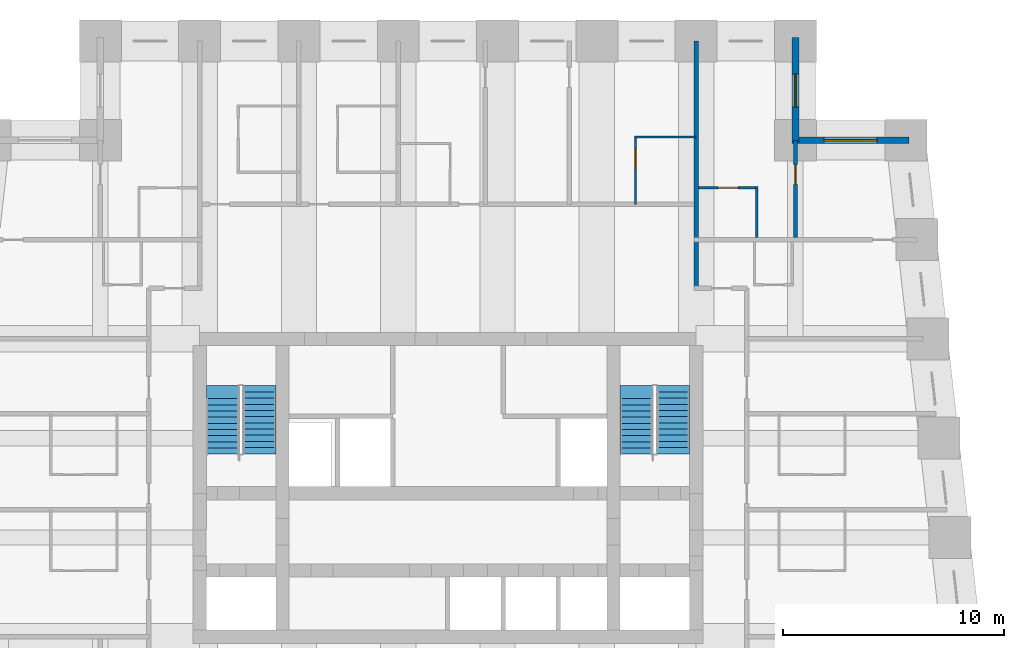
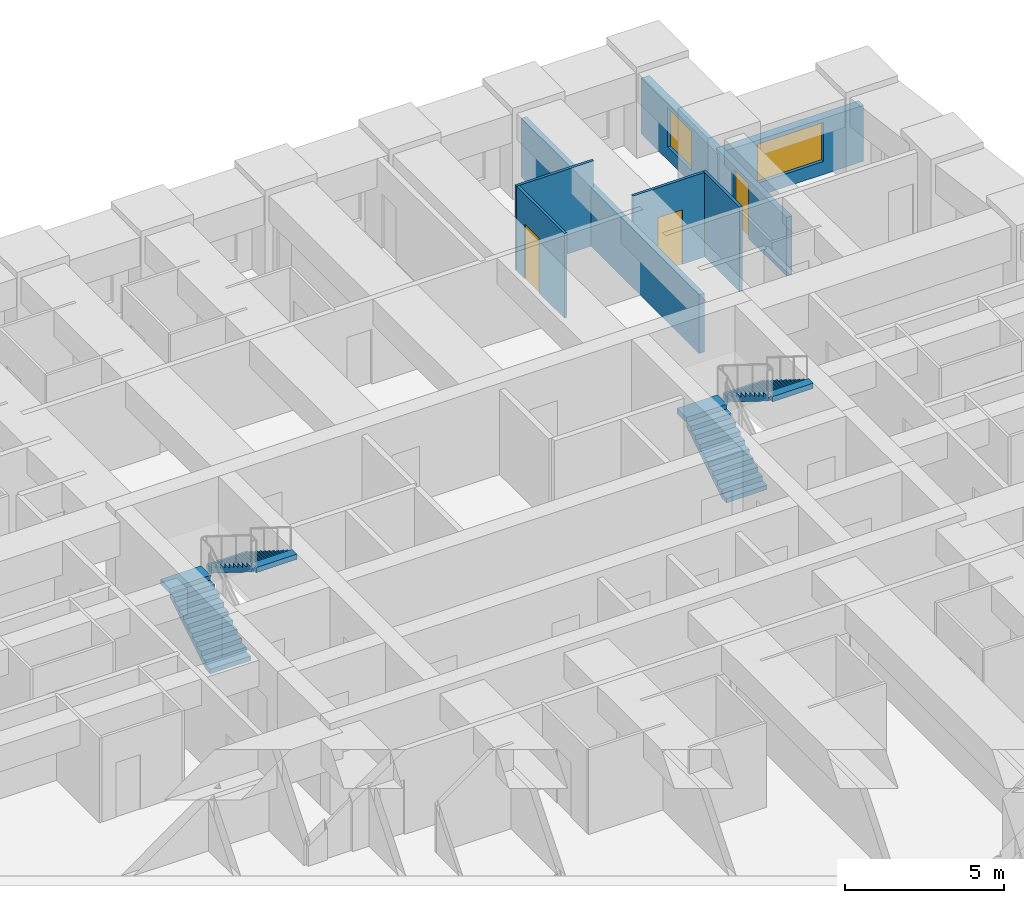
# One storey, part 7 of 8: 8 walls, 4 stair flights, 3 doors, 2 windows, 5 openings, 2 elements without a shape of their own.
"""IFC4 building model written with IfcOpenShell, lengths in metres."""

from ifc_helpers import new_model, si_unit, direction, frame, frame_2d, origin, place, context, subcontext, project, spatial, polyline, rectangle, outline, extrude, material, layer, layer_set, type_object, element, fill, aggregate, save


model = new_model("IFC4")

# Units and contexts
model_context = context("Model", 3, precision=1e-05, world=origin(), true_north=direction((0.0, 1.0)))
body_context = subcontext(model_context, "Body", "Model", "MODEL_VIEW")
ifc_project = project(units=[si_unit("LENGTHUNIT", "METRE"), si_unit("AREAUNIT", "SQUARE_METRE"), si_unit("VOLUMEUNIT", "CUBIC_METRE"), si_unit("PLANEANGLEUNIT", "RADIAN"), si_unit("MASSUNIT", "GRAM", prefix="KILO")], contexts=[model_context])

# Site, building, storey
site_placement = place(None, origin())
site = spatial("IfcSite", under=ifc_project, at=site_placement, CompositionType="ELEMENT")
building_placement = place(site_placement, origin())
building = spatial("IfcBuilding", under=site, at=building_placement, Name="Kilele Tower Hotel", CompositionType="ELEMENT")
storey_placement = place(building_placement, frame((0.0, 0.0, 107.39990234375)))
storey = spatial("IfcBuildingStorey", under=building, at=storey_placement, Name="L27", CompositionType="ELEMENT", Elevation=107.39990234375)

# Wall
ifc_material_1 = material(Name="Moisture-resistant board")
ifc_layer_1 = layer(ifc_material_1, 0.10009765625)
ifc_layer_set_1 = layer_set([ifc_layer_1], Name="Moisture-resistant board")
wall_type_1 = type_object("IfcWallType", Name="Bathroom partition 100", PredefinedType="PLUMBINGWALL", material=ifc_layer_set_1)
wall_1_placement = place(storey_placement, frame((33.199951171875, 36.14990234375, 0.0), z_axis=(0.0, 0.0, 1.0), x_axis=(1.0, 0.0, 0.0)))
element("IfcWall", 1, at=wall_1_placement, inside=storey, type_object=wall_type_1, Name="Bathroom partition 100 L27", PredefinedType="PLUMBINGWALL", context=body_context, shape_type="SweptSolid", body=[
    extrude(rectangle(XDim=2.800048828125, YDim=0.10009765625, at=frame_2d((1.39990234375, 0.0))), origin(), (0.0, 0.0, 1.0), 3.25),
])

# Wall, opening, door
wall_2_placement = place(storey_placement, frame((33.25, 33.10009765625, 0.0), z_axis=(0.0, 0.0, 1.0), x_axis=(0.0, 1.0, 0.0)))
wall_2 = element("IfcWall", 2, at=wall_2_placement, inside=storey, type_object=wall_type_1, Name="Bathroom partition 100 L27", PredefinedType="PLUMBINGWALL", context=body_context, shape_type="SweptSolid", body=[
    extrude(rectangle(XDim=3.099853515625, YDim=0.10009765625, at=frame_2d((1.5498046875, 0.0))), origin(), (0.0, 0.0, 1.0), 3.25),
])
opening_1_placement = place(wall_2_placement, frame((1.60009765625, 0.0, 0.0)))
opening_1 = element("IfcOpeningElement", 3, at=opening_1_placement, cuts=wall_2, Name="Opening D2A", PredefinedType="OPENING", context=body_context, shape_type="SweptSolid", body=[
    extrude(rectangle(XDim=0.89990234375, YDim=2.10009765625, at=frame_2d((0.449951171875, 1.050048828125))), frame((0.0, 0.06005859375, 0.0), z_axis=(0.0, -1.0, 0.0), x_axis=(1.0, 0.0, 0.0)), (0.0, 0.0, 1.0), 0.1201171875),
])
ifc_material_2 = material(Name="Timber door leaf in hardwood frame", Category="wood")
door_type_1 = type_object("IfcDoorType", Name="Bathroom door 900", OperationType="SINGLE_SWING_LEFT", PredefinedType="DOOR", material=ifc_material_2)
door_1_placement = place(opening_1_placement, origin())
door_1 = element("IfcDoor", 4, at=door_1_placement, inside=storey, type_object=door_type_1, Name="Bathroom door 2713B", OperationType="SINGLE_SWING_LEFT", OverallHeight=2.10009765625, OverallWidth=0.89990234375, PredefinedType="DOOR", context=body_context, shape_type="SweptSolid", body=[
    extrude(rectangle(XDim=0.89990234375, YDim=2.10009765625, at=frame_2d((0.449951171875, 1.050048828125))), frame((0.0, 0.02490234375, 0.0), z_axis=(0.0, -1.0, 0.0), x_axis=(1.0, 0.0, 0.0)), (0.0, 0.0, 1.0), 0.050048828125),
])
fill(opening_1, door_1)

# Wall
wall_3_placement = place(storey_placement, frame((38.75, 31.60009765625, 0.0), z_axis=(0.0, 0.0, 1.0), x_axis=(0.0, 1.0, 0.0)))
element("IfcWall", 5, at=wall_3_placement, inside=storey, type_object=wall_type_1, Name="Bathroom partition 100 L27", PredefinedType="PLUMBINGWALL", context=body_context, shape_type="SweptSolid", body=[
    extrude(rectangle(XDim=2.2998046875, YDim=0.10009765625, at=frame_2d((1.14990234375, 0.0))), origin(), (0.0, 0.0, 1.0), 3.25),
])

# Wall, opening, door
wall_4_placement = place(storey_placement, frame((36.10009765625, 33.85009765625, 0.0), z_axis=(0.0, 0.0, 1.0), x_axis=(1.0, 0.0, 0.0)))
wall_4 = element("IfcWall", 6, at=wall_4_placement, inside=storey, type_object=wall_type_1, Name="Bathroom partition 100 L27", PredefinedType="PLUMBINGWALL", context=body_context, shape_type="SweptSolid", body=[
    extrude(rectangle(XDim=2.699951171875, YDim=0.10009765625, at=frame_2d((1.35009765625, 0.0))), origin(), (0.0, 0.0, 1.0), 3.25),
])
opening_2_placement = place(wall_4_placement, frame((0.89990234375, 0.0, 0.0)))
opening_2 = element("IfcOpeningElement", 7, at=opening_2_placement, cuts=wall_4, Name="Opening D2A", PredefinedType="OPENING", context=body_context, shape_type="SweptSolid", body=[
    extrude(rectangle(XDim=0.89990234375, YDim=2.10009765625, at=frame_2d((0.449951171875, 1.050048828125))), frame((0.0, 0.06005859375, 0.0), z_axis=(0.0, -1.0, 0.0), x_axis=(1.0, 0.0, 0.0)), (0.0, 0.0, 1.0), 0.1201171875),
])
door_2_placement = place(opening_2_placement, origin())
door_2 = element("IfcDoor", 8, at=door_2_placement, inside=storey, type_object=door_type_1, Name="Bathroom door 2724B", OperationType="SINGLE_SWING_LEFT", OverallHeight=2.10009765625, OverallWidth=0.89990234375, PredefinedType="DOOR", context=body_context, shape_type="SweptSolid", body=[
    extrude(rectangle(XDim=0.89990234375, YDim=2.10009765625, at=frame_2d((0.449951171875, 1.050048828125))), frame((0.0, 0.02490234375, 0.0), z_axis=(0.0, -1.0, 0.0), x_axis=(1.0, 0.0, 0.0)), (0.0, 0.0, 1.0), 0.050048828125),
])
fill(opening_2, door_2)

ifc_material_3 = material(Name="Blockwork, plastered both sides", Category="masonry")
ifc_layer_2 = layer(ifc_material_3, 0.199951171875)
ifc_layer_set_2 = layer_set([ifc_layer_2], Name="Blockwork, plastered both sides")
wall_type_2 = type_object("IfcWallType", Name="Partition wall 200", PredefinedType="PARTITIONING", material=ifc_layer_set_2)
wall_5_placement = place(storey_placement, frame((40.5, 31.60009765625, 0.0), z_axis=(0.0, 0.0, 1.0), x_axis=(0.0, 1.0, 0.0)))
wall_5 = element("IfcWall", 9, at=wall_5_placement, inside=storey, type_object=wall_type_2, Name="Partition wall 200 L27", PredefinedType="PARTITIONING", context=body_context, shape_type="SweptSolid", body=[
    extrude(rectangle(XDim=4.39990234375, YDim=0.199951171875, at=frame_2d((2.199951171875, 0.0))), origin(), (0.0, 0.0, 1.0), 2.25),
])
opening_3_placement = place(wall_5_placement, frame((2.39990234375, 0.0, 0.0)))
opening_3 = element("IfcOpeningElement", 10, at=opening_3_placement, cuts=wall_5, Name="Opening D3", PredefinedType="OPENING", context=body_context, shape_type="SweptSolid", body=[
    extrude(rectangle(XDim=0.89990234375, YDim=2.10009765625, at=frame_2d((0.449951171875, 1.050048828125))), frame((0.0, 0.10986328125, 0.0), z_axis=(0.0, -1.0, 0.0), x_axis=(1.0, 0.0, 0.0)), (0.0, 0.0, 1.0), 0.219970703125),
])
ifc_material_4 = material(Name="Timber door leaf in hardwood frame", Category="wood")
door_type_2 = type_object("IfcDoorType", Name="Suite internal door 900", OperationType="SINGLE_SWING_LEFT", PredefinedType="DOOR", material=ifc_material_4)
door_3_placement = place(opening_3_placement, origin())
door_3 = element("IfcDoor", 11, at=door_3_placement, inside=storey, type_object=door_type_2, Name="Suite door 2725", OperationType="SINGLE_SWING_RIGHT", OverallHeight=2.10009765625, OverallWidth=0.89990234375, PredefinedType="DOOR", context=body_context, shape_type="SweptSolid", body=[
    extrude(rectangle(XDim=0.89990234375, YDim=2.10009765625, at=frame_2d((0.449951171875, 1.050048828125))), frame((0.0, 0.02490234375, 0.0), z_axis=(0.0, -1.0, 0.0), x_axis=(1.0, 0.0, 0.0)), (0.0, 0.0, 1.0), 0.050048828125),
])
fill(opening_3, door_3)

# Wall
ifc_material_5 = material(Name="Blockwork, plastered both sides", Category="masonry")
ifc_layer_3 = layer(ifc_material_5, 0.199951171875)
ifc_layer_set_3 = layer_set([ifc_layer_3], Name="Blockwork, plastered both sides")
wall_type_3 = type_object("IfcWallType", Name="Party wall 200", PredefinedType="PARTITIONING", material=ifc_layer_set_3)
wall_6_placement = place(storey_placement, frame((36.0, 29.300048828125, 0.0), z_axis=(0.0, 0.0, 1.0), x_axis=(0.0, 1.0, 0.0)))
element("IfcWall", 12, at=wall_6_placement, inside=storey, type_object=wall_type_3, Name="Party wall 200 L27", PredefinedType="PARTITIONING", context=body_context, shape_type="SweptSolid", body=[
    extrude(rectangle(XDim=11.199951171875, YDim=0.199951171875, at=frame_2d((5.60009765625, 0.0))), origin(), (0.0, 0.0, 1.0), 2.25),
])

# Wall, opening, window
ifc_material_6 = material(Name="Concrete C40/50 precast", Category="concrete")
ifc_layer_4 = layer(ifc_material_6, 0.260009765625, Name="Precast backing", Category="LoadBearing")
ifc_material_7 = material(Name="Reconstituted stone finish", Category="masonry")
ifc_layer_5 = layer(ifc_material_7, 0.0400390625, Name="Face mix", Category="Finish")
ifc_layer_set_4 = layer_set([ifc_layer_4, ifc_layer_5], Name="Precast concrete C40/50, reconstituted stone finish")
wall_type_4 = type_object("IfcWallType", Name="Precast stone facade wall 300", PredefinedType="STANDARD", material=ifc_layer_set_4)
wall_7_placement = place(storey_placement, frame((45.64990234375, 36.0, 0.0), z_axis=(0.0, 0.0, 1.0), x_axis=(-1.0, 0.0, 0.0)))
wall_7 = element("IfcWall", 13, at=wall_7_placement, inside=storey, type_object=wall_type_4, Name="Facade wall L27 edge 7", PredefinedType="STANDARD", context=body_context, shape_type="SweptSolid", body=[
    extrude(rectangle(XDim=5.2998046875, YDim=0.300048828125, at=frame_2d((2.64990234375, 0.0))), origin(), (0.0, 0.0, 1.0), 2.150146484375),
])
opening_4_placement = place(wall_7_placement, frame((1.449951171875, 0.0, 0.5)))
opening_4 = element("IfcOpeningElement", 14, at=opening_4_placement, cuts=wall_7, Name="Opening W2", PredefinedType="OPENING", context=body_context, shape_type="SweptSolid", body=[
    extrude(rectangle(XDim=2.39990234375, YDim=1.5, at=frame_2d((1.199951171875, 0.75))), frame((0.0, 0.159912109375, 0.0), z_axis=(0.0, -1.0, 0.0), x_axis=(1.0, 0.0, 0.0)), (0.0, 0.0, 1.0), 0.320068359375),
])
ifc_material_8 = material(Name="Aluminium frame, clear double glazing", Category="aluminium")
window_type_1 = type_object("IfcWindowType", Name="Window W2 2400 x 1500", PartitioningType="SINGLE_PANEL", PredefinedType="WINDOW", material=ifc_material_8)
window_1_placement = place(opening_4_placement, origin())
window_1 = element("IfcWindow", 15, at=window_1_placement, inside=storey, type_object=window_type_1, Name="Window L27", OverallHeight=1.5, OverallWidth=2.39990234375, PartitioningType="SINGLE_PANEL", PredefinedType="WINDOW", context=body_context, shape_type="SweptSolid", body=[
    extrude(rectangle(XDim=2.39990234375, YDim=1.5, at=frame_2d((1.199951171875, 0.75))), frame((0.0, 0.030029296875, 0.0), z_axis=(0.0, -1.0, 0.0), x_axis=(1.0, 0.0, 0.0)), (0.0, 0.0, 1.0), 0.06005859375),
])
fill(opening_4, window_1)

wall_8_placement = place(storey_placement, frame((40.5, 35.85009765625, 0.0), z_axis=(0.0, 0.0, 1.0), x_axis=(0.0, 1.0, 0.0)))
wall_8 = element("IfcWall", 16, at=wall_8_placement, inside=storey, type_object=wall_type_4, Name="Facade wall L27 edge 8", PredefinedType="STANDARD", context=body_context, shape_type="SweptSolid", body=[
    extrude(rectangle(XDim=4.7998046875, YDim=0.300048828125, at=frame_2d((2.39990234375, 0.0))), origin(), (0.0, 0.0, 1.0), 2.150146484375),
])
opening_5_placement = place(wall_8_placement, frame((1.64990234375, 0.0, 0.5)))
opening_5 = element("IfcOpeningElement", 17, at=opening_5_placement, cuts=wall_8, Name="Opening W2", PredefinedType="OPENING", context=body_context, shape_type="SweptSolid", body=[
    extrude(rectangle(XDim=1.5, YDim=1.5, at=frame_2d((0.75, 0.75))), frame((0.0, 0.159912109375, 0.0), z_axis=(0.0, -1.0, 0.0), x_axis=(1.0, 0.0, 0.0)), (0.0, 0.0, 1.0), 0.320068359375),
])
ifc_material_9 = material(Name="Aluminium frame, clear double glazing", Category="aluminium")
window_type_2 = type_object("IfcWindowType", Name="Window W2 1500 x 1500", PartitioningType="SINGLE_PANEL", PredefinedType="WINDOW", material=ifc_material_9)
window_2_placement = place(opening_5_placement, origin())
window_2 = element("IfcWindow", 18, at=window_2_placement, inside=storey, type_object=window_type_2, Name="Window L27", OverallHeight=1.5, OverallWidth=1.5, PartitioningType="SINGLE_PANEL", PredefinedType="WINDOW", context=body_context, shape_type="SweptSolid", body=[
    extrude(rectangle(XDim=1.5, YDim=1.5, at=frame_2d((0.75, 0.75))), frame((0.0, 0.030029296875, 0.0), z_axis=(0.0, -1.0, 0.0), x_axis=(1.0, 0.0, 0.0)), (0.0, 0.0, 1.0), 0.06005859375),
])
fill(opening_5, window_2)

# Stair, stair flights
ifc_material_10 = material(Name="Precast concrete C40/50", Category="concrete")
stair_type = type_object("IfcStairType", Name="Stair 1475 x 3500", PredefinedType="HALF_TURN_STAIR", material=ifc_material_10)
stair_1_placement = place(storey_placement, origin())
stair_1 = element("IfcStair", 19, at=stair_1_placement, inside=storey, type_object=stair_type, Name="Stair 1 L27", PredefinedType="HALF_TURN_STAIR")
ifc_material_11 = material(Name="Precast concrete C40/50", Category="concrete")
stair_flight_type = type_object("IfcStairFlightType", Name="Flight 1475 riser 175.0", PredefinedType="STRAIGHT", material=ifc_material_11)
stair_flight_1_placement = place(storey_placement, frame((14.53759765625, 21.77490234375, 0.0), z_axis=(0.0, 0.0, 1.0), x_axis=(0.0, 1.0, 0.0)))
stair_flight_1 = element("IfcStairFlight", 20, at=stair_flight_1_placement, type_object=stair_flight_type, Name="ST1 flight 1", NumberOfRisers=10, NumberOfTreads=9, PredefinedType="STRAIGHT", RiserHeight=0.175, TreadLength=0.28, context=body_context, shape_type="SweptSolid", body=[
    extrude(outline(polyline([(0.0, 0.0), (0.0, 0.175048828125), (0.280029296875, 0.175048828125), (0.280029296875, 0.35009765625), (0.56005859375, 0.35009765625), (0.56005859375, 0.52490234375), (0.840087890625, 0.52490234375), (0.840087890625, 0.699951171875), (1.1201171875, 0.699951171875), (1.1201171875, 0.875), (1.39990234375, 0.875), (1.39990234375, 1.050048828125), (1.679931640625, 1.050048828125), (1.679931640625, 1.22509765625), (1.9599609375, 1.22509765625), (1.9599609375, 1.39990234375), (2.239990234375, 1.39990234375), (2.239990234375, 1.574951171875), (2.52001953125, 1.574951171875), (2.52001953125, 1.75), (2.52001953125, 1.398193359375), (0.28271484375, 0.0), (0.0, 0.0)])), frame((0.0, 0.737548828125, 0.0), z_axis=(0.0, -1.0, 0.0), x_axis=(1.0, 0.0, 0.0)), (0.0, 0.0, 1.0), 1.47509765625),
    extrude(outline(polyline([(2.52001953125, 0.737548828125), (2.52001953125, -0.7373046875), (3.1201171875, -0.7373046875), (3.1201171875, 0.737548828125), (2.52001953125, 0.737548828125)])), frame((0.0, 0.0, 1.550048828125)), (0.0, 0.0, 1.0), 0.199951171875),
])
stair_flight_2_placement = place(storey_placement, frame((16.21240234375, 24.594970703125, 1.75), z_axis=(0.0, 0.0, 1.0), x_axis=(0.0, -1.0, 0.0)))
stair_flight_2 = element("IfcStairFlight", 21, at=stair_flight_2_placement, type_object=stair_flight_type, Name="ST1 flight 2", NumberOfRisers=10, NumberOfTreads=9, PredefinedType="STRAIGHT", RiserHeight=0.175, TreadLength=0.28, context=body_context, shape_type="SweptSolid", body=[
    extrude(outline(polyline([(0.0, 0.0), (0.0, 0.175048828125), (0.280029296875, 0.175048828125), (0.280029296875, 0.35009765625), (0.56005859375, 0.35009765625), (0.56005859375, 0.52490234375), (0.840087890625, 0.52490234375), (0.840087890625, 0.699951171875), (1.1201171875, 0.699951171875), (1.1201171875, 0.875), (1.39990234375, 0.875), (1.39990234375, 1.050048828125), (1.679931640625, 1.050048828125), (1.679931640625, 1.22509765625), (1.9599609375, 1.22509765625), (1.9599609375, 1.39990234375), (2.239990234375, 1.39990234375), (2.239990234375, 1.574951171875), (2.52001953125, 1.574951171875), (2.52001953125, 1.75), (2.52001953125, 1.398193359375), (0.28271484375, 0.0), (0.0, 0.0)])), frame((0.0, 0.737548828125, 0.0), z_axis=(0.0, -1.0, 0.0), x_axis=(1.0, 0.0, 0.0)), (0.0, 0.0, 1.0), 1.47509765625),
    extrude(outline(polyline([(0.0, -0.7373046875), (0.0, 0.737548828125), (-0.300048828125, 0.737548828125), (-0.300048828125, -0.7373046875), (0.0, -0.7373046875)])), frame((0.0, 0.0, -0.199951171875)), (0.0, 0.0, 1.0), 0.199951171875),
    extrude(outline(polyline([(2.820068359375, -0.7373046875), (2.820068359375, 0.737548828125), (2.52001953125, 0.737548828125), (2.52001953125, -0.7373046875), (2.820068359375, -0.7373046875)])), frame((0.0, 0.0, 1.550048828125)), (0.0, 0.0, 1.0), 0.199951171875),
])
aggregate(stair_1, [stair_flight_1, stair_flight_2])

stair_2_placement = place(storey_placement, origin())
stair_2 = element("IfcStair", 22, at=stair_2_placement, inside=storey, type_object=stair_type, Name="Stair 2 L27", PredefinedType="HALF_TURN_STAIR")
stair_flight_3_placement = place(storey_placement, frame((33.28759765625, 21.77490234375, 0.0), z_axis=(0.0, 0.0, 1.0), x_axis=(0.0, 1.0, 0.0)))
stair_flight_3 = element("IfcStairFlight", 23, at=stair_flight_3_placement, type_object=stair_flight_type, Name="ST2 flight 1", NumberOfRisers=10, NumberOfTreads=9, PredefinedType="STRAIGHT", RiserHeight=0.175, TreadLength=0.28, context=body_context, shape_type="SweptSolid", body=[
    extrude(outline(polyline([(0.0, 0.0), (0.0, 0.175048828125), (0.280029296875, 0.175048828125), (0.280029296875, 0.35009765625), (0.56005859375, 0.35009765625), (0.56005859375, 0.52490234375), (0.840087890625, 0.52490234375), (0.840087890625, 0.699951171875), (1.1201171875, 0.699951171875), (1.1201171875, 0.875), (1.39990234375, 0.875), (1.39990234375, 1.050048828125), (1.679931640625, 1.050048828125), (1.679931640625, 1.22509765625), (1.9599609375, 1.22509765625), (1.9599609375, 1.39990234375), (2.239990234375, 1.39990234375), (2.239990234375, 1.574951171875), (2.52001953125, 1.574951171875), (2.52001953125, 1.75), (2.52001953125, 1.398193359375), (0.28271484375, 0.0), (0.0, 0.0)])), frame((0.0, 0.737548828125, 0.0), z_axis=(0.0, -1.0, 0.0), x_axis=(1.0, 0.0, 0.0)), (0.0, 0.0, 1.0), 1.47509765625),
    extrude(outline(polyline([(2.52001953125, 0.737548828125), (2.52001953125, -0.7373046875), (3.1201171875, -0.7373046875), (3.1201171875, 0.737548828125), (2.52001953125, 0.737548828125)])), frame((0.0, 0.0, 1.550048828125)), (0.0, 0.0, 1.0), 0.199951171875),
])
stair_flight_4_placement = place(storey_placement, frame((34.96240234375, 24.594970703125, 1.75), z_axis=(0.0, 0.0, 1.0), x_axis=(0.0, -1.0, 0.0)))
stair_flight_4 = element("IfcStairFlight", 24, at=stair_flight_4_placement, type_object=stair_flight_type, Name="ST2 flight 2", NumberOfRisers=10, NumberOfTreads=9, PredefinedType="STRAIGHT", RiserHeight=0.175, TreadLength=0.28, context=body_context, shape_type="SweptSolid", body=[
    extrude(outline(polyline([(0.0, 0.0), (0.0, 0.175048828125), (0.280029296875, 0.175048828125), (0.280029296875, 0.35009765625), (0.56005859375, 0.35009765625), (0.56005859375, 0.52490234375), (0.840087890625, 0.52490234375), (0.840087890625, 0.699951171875), (1.1201171875, 0.699951171875), (1.1201171875, 0.875), (1.39990234375, 0.875), (1.39990234375, 1.050048828125), (1.679931640625, 1.050048828125), (1.679931640625, 1.22509765625), (1.9599609375, 1.22509765625), (1.9599609375, 1.39990234375), (2.239990234375, 1.39990234375), (2.239990234375, 1.574951171875), (2.52001953125, 1.574951171875), (2.52001953125, 1.75), (2.52001953125, 1.398193359375), (0.28271484375, 0.0), (0.0, 0.0)])), frame((0.0, 0.737548828125, 0.0), z_axis=(0.0, -1.0, 0.0), x_axis=(1.0, 0.0, 0.0)), (0.0, 0.0, 1.0), 1.47509765625),
    extrude(outline(polyline([(0.0, -0.7373046875), (0.0, 0.737548828125), (-0.300048828125, 0.737548828125), (-0.300048828125, -0.7373046875), (0.0, -0.7373046875)])), frame((0.0, 0.0, -0.199951171875)), (0.0, 0.0, 1.0), 0.199951171875),
    extrude(outline(polyline([(2.820068359375, -0.7373046875), (2.820068359375, 0.737548828125), (2.52001953125, 0.737548828125), (2.52001953125, -0.7373046875), (2.820068359375, -0.7373046875)])), frame((0.0, 0.0, 1.550048828125)), (0.0, 0.0, 1.0), 0.199951171875),
])
aggregate(stair_2, [stair_flight_3, stair_flight_4])

save(model, "model.ifc")
